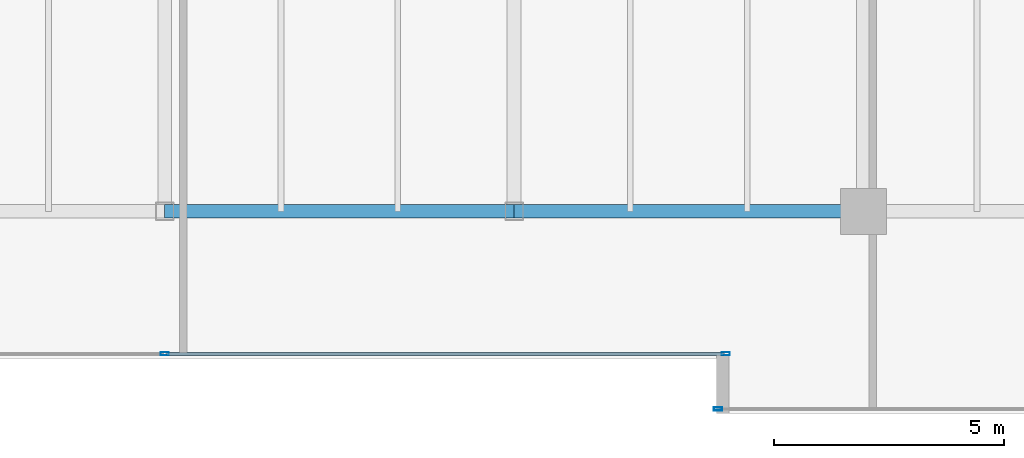
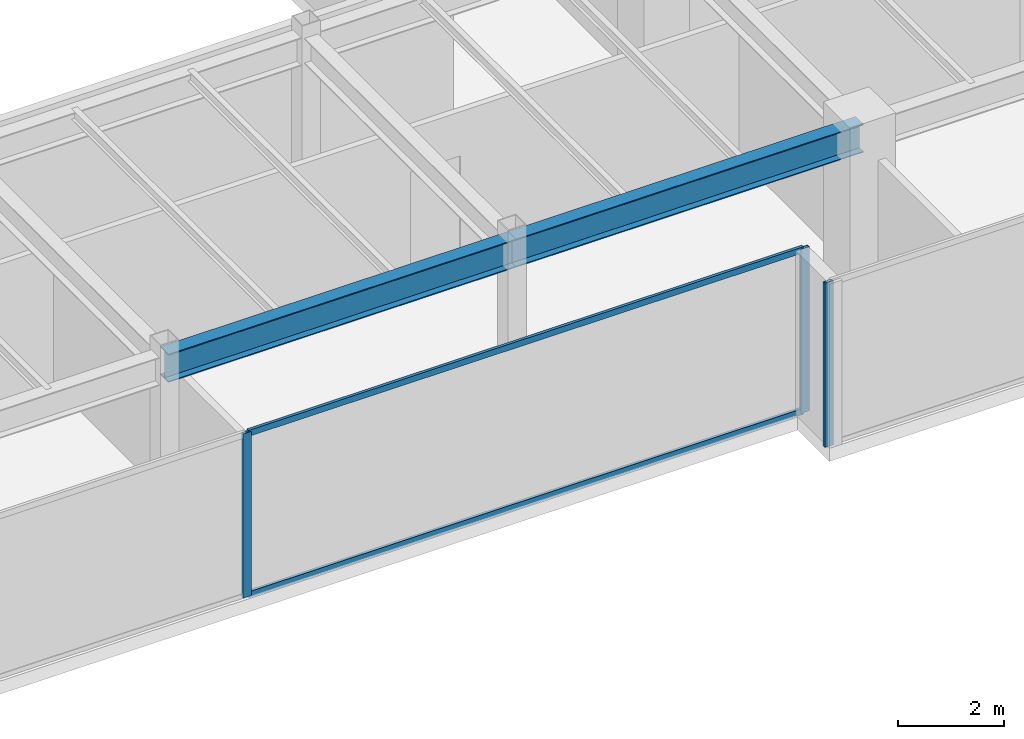
# One storey, part 11 of 33: 5 members, 2 beams, 2 elements without a shape of their own.
"""IFC4 building model written with IfcOpenShell, lengths in metres."""

from ifc_helpers import new_model, si_unit, direction, frame, origin, origin_2d, place, context, subcontext, project, spatial, hollow_rectangle, i_section, extrude, source, transform, mapped, material, layer, layer_set, material_profile, profile_set, type_object, type_shapes, element, aggregate, save


model = new_model("IFC4")

# Units and contexts
model_context = context("Model", 3, precision=1e-05, world=origin(), true_north=direction((0.0, 1.0)))
body_context = subcontext(model_context, "Body", "Model", "MODEL_VIEW")
ifc_project = project(units=[si_unit("LENGTHUNIT", "METRE"), si_unit("AREAUNIT", "SQUARE_METRE"), si_unit("VOLUMEUNIT", "CUBIC_METRE"), si_unit("PLANEANGLEUNIT", "RADIAN"), si_unit("MASSUNIT", "GRAM", prefix="KILO")], contexts=[model_context])

# Site, building, storey
site_placement = place(None, origin())
site = spatial("IfcSite", under=ifc_project, at=site_placement, CompositionType="ELEMENT")
building_placement = place(site_placement, origin())
building = spatial("IfcBuilding", under=site, at=building_placement, Name="Haelvirn Gate Laboratories", CompositionType="ELEMENT")
storey_placement = place(building_placement, frame((0.0, 0.0, 267.0)))
storey = spatial("IfcBuildingStorey", under=building, at=storey_placement, Name="L64", CompositionType="ELEMENT", Elevation=267.0)

# Beams
ifc_material_1 = material(Name="Steel SM355", Category="steel")
ifc_material_profile_1 = material_profile(ifc_material_1, i_section(OverallWidth=0.300048828125, OverallDepth=0.64990234375, WebThickness=0.012939453125, FlangeThickness=0.02197265625, at=origin_2d()), Name="H-650x300x13x22")
ifc_profile_set_1 = profile_set([ifc_material_profile_1], Name="Steel SM355")
beam_type = type_object("IfcBeamType", Name="BM-G-650", PredefinedType="BEAM", material=ifc_profile_set_1)
shared_shape_1 = source(origin(), body_context, "Body", "SweptSolid", [
    extrude(i_section(OverallWidth=0.300048828125, OverallDepth=0.64990234375, WebThickness=0.012939453125, FlangeThickness=0.02197265625, at=origin_2d()), origin(), (0.0, 0.0, 1.0), 7.60009765625),
])
type_shapes(beam_type, [shared_shape_1])
for number, where, z_axis, x_axis, name in (
    (1, (37.39990234375, 7.0, 3.47509765625), (1.0, 0.0, 0.0), (0.0, 1.0, 0.0), "L64 Primary Girder Y7.0 (37.4-45.0)"),
    (2, (45.0, 7.0, 3.47509765625), (1.0, 0.0, 0.0), (0.0, 1.0, 0.0), "L64 Primary Girder Y7.0 (45.0-52.6)"),
):
    element("IfcBeam", number, at=place(storey_placement, frame(where, z_axis=z_axis, x_axis=x_axis)), inside=storey, type_object=beam_type, Name=name, PredefinedType="BEAM", context=body_context, shape_type="MappedRepresentation", body=[
        mapped(shared_shape_1, transform((0.0, 0.0, 0.0), scale=1.0)),
    ])

# Curtain wall, members
ifc_material_2 = material(Name="Anodised bronze unitised aluminium & triple low-E glass", Category="aluminium")
ifc_layer = layer(ifc_material_2, 0.176025390625, Name="CW-SYS-4")
ifc_layer_set = layer_set([ifc_layer], Name="Anodised bronze unitised aluminium & triple low-E glass")
curtain_wall_type = type_object("IfcCurtainWallType", Name="CW-SYS-4", PredefinedType="NOTDEFINED", material=ifc_layer_set)
curtain_wall_1_placement = place(storey_placement, origin())
curtain_wall_1 = element("IfcCurtainWall", 3, at=curtain_wall_1_placement, inside=storey, type_object=curtain_wall_type, Name="L64 Unitised Curtain Wall CW-L64-P0-E02-1", PredefinedType="NOTDEFINED")
ifc_material_3 = material(Name="Extruded aluminium 6063-T6 (anodised bronze)", Category="aluminium")
ifc_material_profile_2 = material_profile(ifc_material_3, hollow_rectangle(XDim=0.06494140625, YDim=0.139892578125, WallThickness=0.00390625, at=origin_2d()), Name="CWT-140x65x4")
ifc_profile_set_2 = profile_set([ifc_material_profile_2], Name="Extruded aluminium 6063-T6 (anodised bronze)")
member_type_1 = type_object("IfcMemberType", Name="CWT-T140", PredefinedType="USERDEFINED", material=ifc_profile_set_2)
shared_shape_2 = source(origin(), body_context, "Body", "SweptSolid", [
    extrude(hollow_rectangle(XDim=0.06494140625, YDim=0.139892578125, WallThickness=0.00390625, at=origin_2d()), origin(), (0.0, 0.0, 1.0), 12.135009765625),
])
type_shapes(member_type_1, [shared_shape_2])
member_1_placement = place(storey_placement, frame((37.43505859375, 3.89990234375, 0.032470703125), z_axis=(1.0, 0.0, 0.0), x_axis=(0.0, 1.0, 0.0)))
member_1 = element("IfcMember", 4, at=member_1_placement, type_object=member_type_1, Name="CW4 transom 2.1", ObjectType="TRANSOM", PredefinedType="USERDEFINED", context=body_context, shape_type="MappedRepresentation", body=[
    mapped(shared_shape_2, transform((0.0, 0.0, 0.0), scale=1.0)),
])
member_2_placement = place(storey_placement, frame((37.43505859375, 3.89990234375, 3.767578125), z_axis=(1.0, 0.0, 0.0), x_axis=(0.0, 1.0, 0.0)))
member_2 = element("IfcMember", 5, at=member_2_placement, type_object=member_type_1, Name="CW4 transom 2.2", ObjectType="TRANSOM", PredefinedType="USERDEFINED", context=body_context, shape_type="MappedRepresentation", body=[
    mapped(shared_shape_2, transform((0.0, 0.0, 0.0), scale=1.0)),
])
ifc_material_profile_3 = material_profile(ifc_material_3, hollow_rectangle(XDim=0.070068359375, YDim=0.179931640625, WallThickness=0.0048828125, at=origin_2d()), Name="CWM-180x70x5")
ifc_profile_set_3 = profile_set([ifc_material_profile_3], Name="Extruded aluminium 6063-T6 (anodised bronze)")
member_type_2 = type_object("IfcMemberType", Name="CWM-T180", PredefinedType="MULLION", material=ifc_profile_set_3)
shared_shape_3 = source(origin(), body_context, "Body", "SweptSolid", [
    extrude(hollow_rectangle(XDim=0.070068359375, YDim=0.179931640625, WallThickness=0.0048828125, at=origin_2d()), origin(), (0.0, 0.0, 1.0), 3.800048828125),
])
type_shapes(member_type_2, [shared_shape_3])
member_3_placement = place(storey_placement, frame((37.39990234375, 3.89990234375, 0.0), z_axis=(0.0, 0.0, 1.0), x_axis=(0.0, 1.0, 0.0)))
member_3 = element("IfcMember", 6, at=member_3_placement, type_object=member_type_2, Name="CW4 mullion 2", PredefinedType="MULLION", context=body_context, shape_type="MappedRepresentation", body=[
    mapped(shared_shape_3, transform((0.0, 0.0, 0.0), scale=1.0)),
])
member_4_placement = place(storey_placement, frame((49.60498046875, 3.89990234375, 0.0), z_axis=(0.0, 0.0, 1.0), x_axis=(0.0, 1.0, 0.0)))
member_4 = element("IfcMember", 7, at=member_4_placement, type_object=member_type_2, Name="CW4 mullion 3", PredefinedType="MULLION", context=body_context, shape_type="MappedRepresentation", body=[
    mapped(shared_shape_3, transform((0.0, 0.0, 0.0), scale=1.0)),
])
aggregate(curtain_wall_1, [member_3, member_4, member_1, member_2])

# Curtain wall, member
curtain_wall_2_placement = place(storey_placement, origin())
curtain_wall_2 = element("IfcCurtainWall", 8, at=curtain_wall_2_placement, inside=storey, type_object=curtain_wall_type, Name="L64 Unitised Curtain Wall CW-L64-P0-E04-1", PredefinedType="NOTDEFINED")
member_5_placement = place(storey_placement, frame((49.43505859375, 2.699951171875, 0.0), z_axis=(0.0, 0.0, 1.0), x_axis=(0.0, 1.0, 0.0)))
member_5 = element("IfcMember", 9, at=member_5_placement, type_object=member_type_2, Name="CW4 mullion 1", PredefinedType="MULLION", context=body_context, shape_type="MappedRepresentation", body=[
    mapped(shared_shape_3, transform((0.0, 0.0, 0.0), scale=1.0)),
])
aggregate(curtain_wall_2, [member_5])

save(model, "model.ifc")
